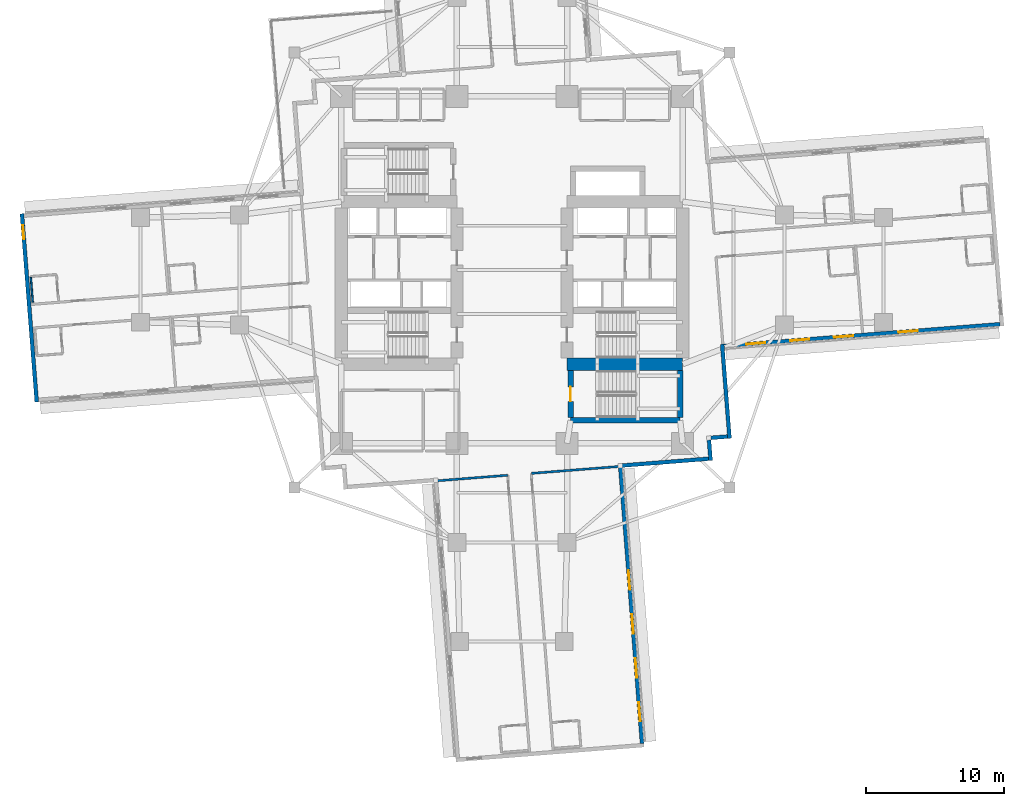
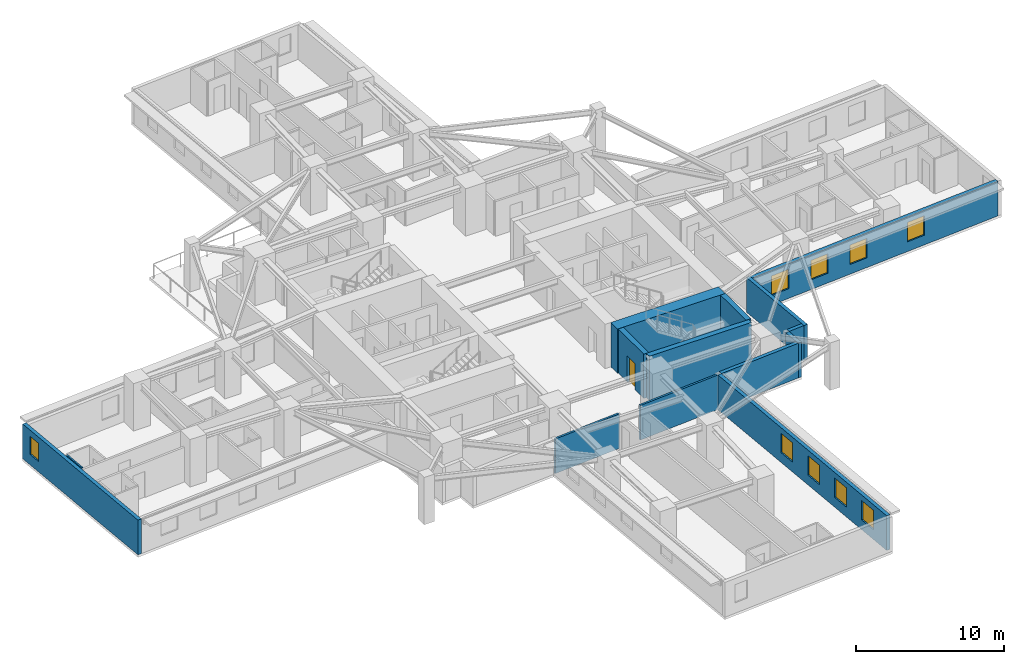
# One storey, part 4 of 13: 14 walls, 9 windows, 1 door, 10 openings.
"""IFC4 building model written with IfcOpenShell, lengths in metres."""

from ifc_helpers import new_model, si_unit, direction, frame, frame_2d, origin, place, context, subcontext, project, spatial, rectangle, extrude, material, layer, layer_set, type_object, element, fill, save


model = new_model("IFC4")

# Units and contexts
model_context = context("Model", 3, precision=1e-05, world=origin(), true_north=direction((0.0, 1.0)))
body_context = subcontext(model_context, "Body", "Model", "MODEL_VIEW")
ifc_project = project(units=[si_unit("LENGTHUNIT", "METRE"), si_unit("AREAUNIT", "SQUARE_METRE"), si_unit("VOLUMEUNIT", "CUBIC_METRE"), si_unit("PLANEANGLEUNIT", "RADIAN"), si_unit("MASSUNIT", "GRAM", prefix="KILO")], contexts=[model_context])

# Site, building, storey
site_placement = place(None, origin())
site = spatial("IfcSite", under=ifc_project, at=site_placement, CompositionType="ELEMENT")
building_placement = place(site_placement, origin())
building = spatial("IfcBuilding", under=site, at=building_placement, Name="Qingluan Cross Belvedere", CompositionType="ELEMENT")
storey_placement = place(building_placement, frame((0.0, 0.0, 43.199951171875)))
storey = spatial("IfcBuildingStorey", under=building, at=storey_placement, Name="L11", CompositionType="ELEMENT", Elevation=43.199951171875)

# Wall
ifc_material_1 = material(Name="Concrete C50", Category="concrete")
ifc_layer_1 = layer(ifc_material_1, 0.449951171875, Name="CoreShearWall_450")
ifc_layer_set_1 = layer_set([ifc_layer_1], Name="Concrete C50")
wall_type_1 = type_object("IfcWallType", Name="CoreShearWall_450", PredefinedType="SHEAR", material=ifc_layer_set_1)
wall_1_placement = place(storey_placement, frame((4.260009765625, -10.93994140625, 0.0), z_axis=(0.0, 0.0, 1.0), x_axis=(1.0, 0.0, 0.0)))
element("IfcWall", 1, at=wall_1_placement, inside=storey, type_object=wall_type_1, Name="Stair ST4 structural wall S L11", PredefinedType="SHEAR", context=body_context, shape_type="SweptSolid", body=[
    extrude(rectangle(XDim=7.9599609375, YDim=0.39990234375, at=frame_2d((3.97998046875, 0.0))), origin(), (0.0, 0.0, 1.0), 3.650146484375),
])

# Wall, opening, door
wall_2_placement = place(storey_placement, frame((4.260009765625, -10.735107421875, 0.0), z_axis=(0.0, 0.0, 1.0), x_axis=(0.0, 1.0, 0.0)))
wall_2 = element("IfcWall", 2, at=wall_2_placement, inside=storey, type_object=wall_type_1, Name="Stair ST4 structural wall W L11", PredefinedType="SHEAR", context=body_context, shape_type="SweptSolid", body=[
    extrude(rectangle(XDim=3.43017578125, YDim=0.39990234375, at=frame_2d((1.715087890625, 0.0))), origin(), (0.0, 0.0, 1.0), 3.650146484375),
])
opening_1_placement = place(wall_2_placement, frame((1.18505859375, 0.0, 0.0)))
opening_1 = element("IfcOpeningElement", 3, at=opening_1_placement, cuts=wall_2, Name="Opening FD-B11", PredefinedType="OPENING", context=body_context, shape_type="SweptSolid", body=[
    extrude(rectangle(XDim=1.050048828125, YDim=2.14990234375, at=frame_2d((0.52490234375, 1.074951171875))), frame((0.0, 0.2099609375, 0.0), z_axis=(0.0, -1.0, 0.0), x_axis=(1.0, 0.0, 0.0)), (0.0, 0.0, 1.0), 0.419921875),
])
ifc_material_2 = material(Name="Steel Class B smoke-seal fire door", Category="steel")
door_type = type_object("IfcDoorType", Name="StairLobbyFireDoor_FDB", OperationType="NOTDEFINED", PredefinedType="DOOR", material=ifc_material_2)
door_placement = place(opening_1_placement, origin())
door = element("IfcDoor", 4, at=door_placement, inside=storey, type_object=door_type, Name="Smoke-proof stair ST4 fire door L11", OperationType="SINGLE_SWING_LEFT", OverallHeight=2.14990234375, OverallWidth=1.050048828125, PredefinedType="DOOR", context=body_context, shape_type="SweptSolid", body=[
    extrude(rectangle(XDim=1.050048828125, YDim=2.14990234375, at=frame_2d((0.52490234375, 1.074951171875))), frame((0.0, 0.02490234375, 0.0), z_axis=(0.0, -1.0, 0.0), x_axis=(1.0, 0.0, 0.0)), (0.0, 0.0, 1.0), 0.050048828125),
])
fill(opening_1, door)

# Walls
wall_3_placement = place(storey_placement, frame((12.219970703125, -10.735107421875, 0.0), z_axis=(0.0, 0.0, 1.0), x_axis=(0.0, 1.0, 0.0)))
element("IfcWall", 5, at=wall_3_placement, inside=storey, type_object=wall_type_1, Name="Stair ST4 structural wall E L11", PredefinedType="SHEAR", context=body_context, shape_type="SweptSolid", body=[
    extrude(rectangle(XDim=3.43017578125, YDim=0.39990234375, at=frame_2d((1.715087890625, 0.0))), origin(), (0.0, 0.0, 1.0), 3.650146484375),
])
ifc_material_3 = material(Name="Concrete C70", Category="concrete")
ifc_layer_2 = layer(ifc_material_3, 0.89990234375, Name="CoreShearWall_900")
ifc_layer_set_2 = layer_set([ifc_layer_2], Name="Concrete C70")
wall_type_2 = type_object("IfcWallType", Name="CoreShearWall_900", PredefinedType="SHEAR", material=ifc_layer_set_2)
wall_4_placement = place(storey_placement, frame((4.0, -6.85009765625, 0.0), z_axis=(0.0, 0.0, 1.0), x_axis=(1.0, 0.0, 0.0)))
element("IfcWall", 6, at=wall_4_placement, inside=storey, type_object=wall_type_2, Name="Split core E shear wall L11-S", PredefinedType="SHEAR", context=body_context, shape_type="SweptSolid", body=[
    extrude(rectangle(XDim=8.39990234375, YDim=0.89990234375, at=frame_2d((4.199951171875, 0.0))), origin(), (0.0, 0.0, 1.0), 3.650146484375),
])
ifc_material_4 = material(Name="Gypsum plasterboard on steel stud acoustic partition", Category="steel")
ifc_layer_3 = layer(ifc_material_4, 0.159912109375, Name="CorridorPartition_160")
ifc_layer_set_3 = layer_set([ifc_layer_3], Name="Gypsum plasterboard on steel stud acoustic partition")
wall_type_3 = type_object("IfcWallType", Name="CorridorPartition_160", PredefinedType="PARTITIONING", material=ifc_layer_set_3)
wall_5_placement = place(storey_placement, frame((1.404296875, -14.785400390625, 0.0), z_axis=(0.0, 0.0, 1.0), x_axis=(0.996918883175, 0.07843940572, 0.0)))
element("IfcWall", 7, at=wall_5_placement, inside=storey, type_object=wall_type_3, Name="Partition L11:S:s0", PredefinedType="PARTITIONING", context=body_context, shape_type="SweptSolid", body=[
    extrude(rectangle(XDim=6.480224609375, YDim=0.159912109375, at=frame_2d((3.240234375, 0.0))), origin(), (0.0, 0.0, 1.0), 2.85009765625),
])
wall_6_placement = place(storey_placement, frame((-0.310302734375, -14.92041015625, 0.0), z_axis=(0.0, 0.0, 1.0), x_axis=(-0.996917262382, -0.07846000233, 0.0)))
element("IfcWall", 8, at=wall_6_placement, inside=storey, type_object=wall_type_3, Name="Partition L11:S:s1", PredefinedType="PARTITIONING", context=body_context, shape_type="SweptSolid", body=[
    extrude(rectangle(XDim=5.239990234375, YDim=0.159912109375, at=frame_2d((2.6201171875, 0.0))), origin(), (0.0, 0.0, 1.0), 2.85009765625),
])
ifc_material_5 = material(Name="Moisture-resistant gypsum board lining")
ifc_layer_4 = layer(ifc_material_5, 0.1201171875, Name="EnsuiteWetPartition_120")
ifc_layer_set_4 = layer_set([ifc_layer_4], Name="Moisture-resistant gypsum board lining")
wall_type_4 = type_object("IfcWallType", Name="EnsuiteWetPartition_120", PredefinedType="PARTITIONING", material=ifc_layer_set_4)
wall_7_placement = place(storey_placement, frame((-34.822265625, -2.359375, 0.0), z_axis=(0.0, 0.0, 1.0), x_axis=(-0.0784709492, 0.996916400774, 0.0)))
element("IfcWall", 9, at=wall_7_placement, inside=storey, type_object=wall_type_4, Name="Partition L11:W:bw0_1", PredefinedType="PARTITIONING", context=body_context, shape_type="SweptSolid", body=[
    extrude(rectangle(XDim=1.820068359375, YDim=0.1201171875, at=frame_2d((0.91015625, 0.0))), origin(), (0.0, 0.0, 1.0), 2.85009765625),
])

# Wall, openings, windows
ifc_material_6 = material(Name="Precast concrete C45", Category="concrete")
ifc_layer_5 = layer(ifc_material_6, 0.280029296875, Name="PrecastFacadeWall_280")
ifc_layer_set_5 = layer_set([ifc_layer_5], Name="Precast concrete C45")
wall_type_5 = type_object("IfcWallType", Name="PrecastFacadeWall_280", PredefinedType="STANDARD", material=ifc_layer_set_5)
wall_8_placement = place(storey_placement, frame((15.421142578125, -5.527099609375, 0.0), z_axis=(0.0, 0.0, 1.0), x_axis=(0.996917828963, 0.078452802979, 0.0)))
wall_8 = element("IfcWall", 10, at=wall_8_placement, inside=storey, type_object=wall_type_5, Name="Facade wall L11-EA", PredefinedType="STANDARD", context=body_context, shape_type="SweptSolid", body=[
    extrude(rectangle(XDim=20.10009765625, YDim=0.280029296875, at=frame_2d((10.050048828125, 0.0))), origin(), (0.0, 0.0, 1.0), 2.860107421875),
])
opening_2_placement = place(wall_8_placement, frame((1.60009765625, 0.0, 0.800048828125)))
opening_2 = element("IfcOpeningElement", 11, at=opening_2_placement, cuts=wall_8, Name="Opening W-01", PredefinedType="OPENING", context=body_context, shape_type="SweptSolid", body=[
    extrude(rectangle(XDim=1.39990234375, YDim=1.60009765625, at=frame_2d((0.699951171875, 0.800048828125))), frame((0.0, 0.14990234375, 0.0), z_axis=(0.0, -1.0, 0.0), x_axis=(1.0, 0.0, 0.0)), (0.0, 0.0, 1.0), 0.300048828125),
])
opening_3_placement = place(wall_8_placement, frame((4.800048828125, 0.0, 0.800048828125)))
opening_3 = element("IfcOpeningElement", 12, at=opening_3_placement, cuts=wall_8, Name="Opening W-01", PredefinedType="OPENING", context=body_context, shape_type="SweptSolid", body=[
    extrude(rectangle(XDim=1.39990234375, YDim=1.60009765625, at=frame_2d((0.699951171875, 0.800048828125))), frame((0.0, 0.14990234375, 0.0), z_axis=(0.0, -1.0, 0.0), x_axis=(1.0, 0.0, 0.0)), (0.0, 0.0, 1.0), 0.300048828125),
])
opening_4_placement = place(wall_8_placement, frame((8.0, 0.0, 0.800048828125)))
opening_4 = element("IfcOpeningElement", 13, at=opening_4_placement, cuts=wall_8, Name="Opening W-01", PredefinedType="OPENING", context=body_context, shape_type="SweptSolid", body=[
    extrude(rectangle(XDim=1.39990234375, YDim=1.60009765625, at=frame_2d((0.699951171875, 0.800048828125))), frame((0.0, 0.14990234375, 0.0), z_axis=(0.0, -1.0, 0.0), x_axis=(1.0, 0.0, 0.0)), (0.0, 0.0, 1.0), 0.300048828125),
])
opening_5_placement = place(wall_8_placement, frame((12.699951171875, 0.0, 0.800048828125)))
opening_5 = element("IfcOpeningElement", 14, at=opening_5_placement, cuts=wall_8, Name="Opening W-01", PredefinedType="OPENING", context=body_context, shape_type="SweptSolid", body=[
    extrude(rectangle(XDim=1.39990234375, YDim=1.60009765625, at=frame_2d((0.699951171875, 0.800048828125))), frame((0.0, 0.14990234375, 0.0), z_axis=(0.0, -1.0, 0.0), x_axis=(1.0, 0.0, 0.0)), (0.0, 0.0, 1.0), 0.300048828125),
])
ifc_material_7 = material(Name="Thermally broken triple Low-E glass in aluminium frame", Category="aluminium")
window_type_1 = type_object("IfcWindowType", Name="TriRibbonWin_1400x1600", PartitioningType="SINGLE_PANEL", PredefinedType="WINDOW", material=ifc_material_7)
window_1_placement = place(opening_2_placement, origin())
window_1 = element("IfcWindow", 15, at=window_1_placement, inside=storey, type_object=window_type_1, Name="Ribbon window L11-EA-1", OverallHeight=1.60009765625, OverallWidth=1.39990234375, PartitioningType="SINGLE_PANEL", PredefinedType="WINDOW", context=body_context, shape_type="SweptSolid", body=[
    extrude(rectangle(XDim=1.39990234375, YDim=1.60009765625, at=frame_2d((0.699951171875, 0.800048828125))), frame((0.0, 0.030029296875, 0.0), z_axis=(0.0, -1.0, 0.0), x_axis=(1.0, 0.0, 0.0)), (0.0, 0.0, 1.0), 0.06005859375),
])
fill(opening_2, window_1)
window_2_placement = place(opening_3_placement, origin())
window_2 = element("IfcWindow", 16, at=window_2_placement, inside=storey, type_object=window_type_1, Name="Ribbon window L11-EA-2", OverallHeight=1.60009765625, OverallWidth=1.39990234375, PartitioningType="SINGLE_PANEL", PredefinedType="WINDOW", context=body_context, shape_type="SweptSolid", body=[
    extrude(rectangle(XDim=1.39990234375, YDim=1.60009765625, at=frame_2d((0.699951171875, 0.800048828125))), frame((0.0, 0.030029296875, 0.0), z_axis=(0.0, -1.0, 0.0), x_axis=(1.0, 0.0, 0.0)), (0.0, 0.0, 1.0), 0.06005859375),
])
fill(opening_3, window_2)
window_3_placement = place(opening_4_placement, origin())
window_3 = element("IfcWindow", 17, at=window_3_placement, inside=storey, type_object=window_type_1, Name="Ribbon window L11-EA-3", OverallHeight=1.60009765625, OverallWidth=1.39990234375, PartitioningType="SINGLE_PANEL", PredefinedType="WINDOW", context=body_context, shape_type="SweptSolid", body=[
    extrude(rectangle(XDim=1.39990234375, YDim=1.60009765625, at=frame_2d((0.699951171875, 0.800048828125))), frame((0.0, 0.030029296875, 0.0), z_axis=(0.0, -1.0, 0.0), x_axis=(1.0, 0.0, 0.0)), (0.0, 0.0, 1.0), 0.06005859375),
])
fill(opening_4, window_3)
window_4_placement = place(opening_5_placement, origin())
window_4 = element("IfcWindow", 18, at=window_4_placement, inside=storey, type_object=window_type_1, Name="Ribbon window L11-EA-4", OverallHeight=1.60009765625, OverallWidth=1.39990234375, PartitioningType="SINGLE_PANEL", PredefinedType="WINDOW", context=body_context, shape_type="SweptSolid", body=[
    extrude(rectangle(XDim=1.39990234375, YDim=1.60009765625, at=frame_2d((0.699951171875, 0.800048828125))), frame((0.0, 0.030029296875, 0.0), z_axis=(0.0, -1.0, 0.0), x_axis=(1.0, 0.0, 0.0)), (0.0, 0.0, 1.0), 0.06005859375),
])
fill(opening_5, window_4)

# Wall, opening, window
wall_9_placement = place(storey_placement, frame((-35.60986328125, 4.07861328125, 0.0), z_axis=(0.0, 0.0, 1.0), x_axis=(0.078473519122, -0.996916198482, 0.0)))
wall_9 = element("IfcWall", 19, at=wall_9_placement, inside=storey, type_object=wall_type_5, Name="Arm tip precast facade wall L11-W", PredefinedType="STANDARD", context=body_context, shape_type="SweptSolid", body=[
    extrude(rectangle(XDim=13.719970703125, YDim=0.280029296875, at=frame_2d((6.85986328125, 0.0))), origin(), (0.0, 0.0, 1.0), 2.860107421875),
])
opening_6_placement = place(wall_9_placement, frame((0.85009765625, 0.0, 0.85009765625)))
opening_6 = element("IfcOpeningElement", 20, at=opening_6_placement, cuts=wall_9, Name="Opening W-03", PredefinedType="OPENING", context=body_context, shape_type="SweptSolid", body=[
    extrude(rectangle(XDim=1.0, YDim=1.5, at=frame_2d((0.5, 0.75))), frame((0.0, 0.14990234375, 0.0), z_axis=(0.0, -1.0, 0.0), x_axis=(1.0, 0.0, 0.0)), (0.0, 0.0, 1.0), 0.300048828125),
])
ifc_material_8 = material(Name="Thermally broken triple Low-E glass in aluminium frame", Category="aluminium")
window_type_2 = type_object("IfcWindowType", Name="TriApexWin_1000x1500", PartitioningType="SINGLE_PANEL", PredefinedType="WINDOW", material=ifc_material_8)
window_5_placement = place(opening_6_placement, origin())
window_5 = element("IfcWindow", 21, at=window_5_placement, inside=storey, type_object=window_type_2, Name="Arm tip triangular window L11-W", OverallHeight=1.5, OverallWidth=1.0, PartitioningType="SINGLE_PANEL", PredefinedType="WINDOW", context=body_context, shape_type="SweptSolid", body=[
    extrude(rectangle(XDim=1.0, YDim=1.5, at=frame_2d((0.5, 0.75))), frame((0.0, 0.030029296875, 0.0), z_axis=(0.0, -1.0, 0.0), x_axis=(1.0, 0.0, 0.0)), (0.0, 0.0, 1.0), 0.06005859375),
])
fill(opening_6, window_5)

# Wall, openings, windows
wall_10_placement = place(storey_placement, frame((9.448486328125, -34.40478515625, 0.0), z_axis=(0.0, 0.0, 1.0), x_axis=(-0.078452802979, 0.996917828963, 0.0)))
wall_10 = element("IfcWall", 22, at=wall_10_placement, inside=storey, type_object=wall_type_5, Name="Facade wall L11-SB", PredefinedType="STANDARD", context=body_context, shape_type="SweptSolid", body=[
    extrude(rectangle(XDim=20.10009765625, YDim=0.280029296875, at=frame_2d((10.050048828125, 0.0))), origin(), (0.0, 0.0, 1.0), 2.860107421875),
])
opening_7_placement = place(wall_10_placement, frame((1.60009765625, 0.0, 0.800048828125)))
opening_7 = element("IfcOpeningElement", 23, at=opening_7_placement, cuts=wall_10, Name="Opening W-01", PredefinedType="OPENING", context=body_context, shape_type="SweptSolid", body=[
    extrude(rectangle(XDim=1.39990234375, YDim=1.60009765625, at=frame_2d((0.699951171875, 0.800048828125))), frame((0.0, 0.14990234375, 0.0), z_axis=(0.0, -1.0, 0.0), x_axis=(1.0, 0.0, 0.0)), (0.0, 0.0, 1.0), 0.300048828125),
])
opening_8_placement = place(wall_10_placement, frame((4.800048828125, 0.0, 0.800048828125)))
opening_8 = element("IfcOpeningElement", 24, at=opening_8_placement, cuts=wall_10, Name="Opening W-01", PredefinedType="OPENING", context=body_context, shape_type="SweptSolid", body=[
    extrude(rectangle(XDim=1.39990234375, YDim=1.60009765625, at=frame_2d((0.699951171875, 0.800048828125))), frame((0.0, 0.14990234375, 0.0), z_axis=(0.0, -1.0, 0.0), x_axis=(1.0, 0.0, 0.0)), (0.0, 0.0, 1.0), 0.300048828125),
])
opening_9_placement = place(wall_10_placement, frame((8.0, 0.0, 0.800048828125)))
opening_9 = element("IfcOpeningElement", 25, at=opening_9_placement, cuts=wall_10, Name="Opening W-01", PredefinedType="OPENING", context=body_context, shape_type="SweptSolid", body=[
    extrude(rectangle(XDim=1.39990234375, YDim=1.60009765625, at=frame_2d((0.699951171875, 0.800048828125))), frame((0.0, 0.14990234375, 0.0), z_axis=(0.0, -1.0, 0.0), x_axis=(1.0, 0.0, 0.0)), (0.0, 0.0, 1.0), 0.300048828125),
])
opening_10_placement = place(wall_10_placement, frame((11.199951171875, 0.0, 0.800048828125)))
opening_10 = element("IfcOpeningElement", 26, at=opening_10_placement, cuts=wall_10, Name="Opening W-01", PredefinedType="OPENING", context=body_context, shape_type="SweptSolid", body=[
    extrude(rectangle(XDim=1.39990234375, YDim=1.60009765625, at=frame_2d((0.699951171875, 0.800048828125))), frame((0.0, 0.14990234375, 0.0), z_axis=(0.0, -1.0, 0.0), x_axis=(1.0, 0.0, 0.0)), (0.0, 0.0, 1.0), 0.300048828125),
])
window_6_placement = place(opening_7_placement, origin())
window_6 = element("IfcWindow", 27, at=window_6_placement, inside=storey, type_object=window_type_1, Name="Ribbon window L11-SB-1", OverallHeight=1.60009765625, OverallWidth=1.39990234375, PartitioningType="SINGLE_PANEL", PredefinedType="WINDOW", context=body_context, shape_type="SweptSolid", body=[
    extrude(rectangle(XDim=1.39990234375, YDim=1.60009765625, at=frame_2d((0.699951171875, 0.800048828125))), frame((0.0, 0.030029296875, 0.0), z_axis=(0.0, -1.0, 0.0), x_axis=(1.0, 0.0, 0.0)), (0.0, 0.0, 1.0), 0.06005859375),
])
fill(opening_7, window_6)
window_7_placement = place(opening_8_placement, origin())
window_7 = element("IfcWindow", 28, at=window_7_placement, inside=storey, type_object=window_type_1, Name="Ribbon window L11-SB-2", OverallHeight=1.60009765625, OverallWidth=1.39990234375, PartitioningType="SINGLE_PANEL", PredefinedType="WINDOW", context=body_context, shape_type="SweptSolid", body=[
    extrude(rectangle(XDim=1.39990234375, YDim=1.60009765625, at=frame_2d((0.699951171875, 0.800048828125))), frame((0.0, 0.030029296875, 0.0), z_axis=(0.0, -1.0, 0.0), x_axis=(1.0, 0.0, 0.0)), (0.0, 0.0, 1.0), 0.06005859375),
])
fill(opening_8, window_7)
window_8_placement = place(opening_9_placement, origin())
window_8 = element("IfcWindow", 29, at=window_8_placement, inside=storey, type_object=window_type_1, Name="Ribbon window L11-SB-3", OverallHeight=1.60009765625, OverallWidth=1.39990234375, PartitioningType="SINGLE_PANEL", PredefinedType="WINDOW", context=body_context, shape_type="SweptSolid", body=[
    extrude(rectangle(XDim=1.39990234375, YDim=1.60009765625, at=frame_2d((0.699951171875, 0.800048828125))), frame((0.0, 0.030029296875, 0.0), z_axis=(0.0, -1.0, 0.0), x_axis=(1.0, 0.0, 0.0)), (0.0, 0.0, 1.0), 0.06005859375),
])
fill(opening_9, window_8)
window_9_placement = place(opening_10_placement, origin())
window_9 = element("IfcWindow", 30, at=window_9_placement, inside=storey, type_object=window_type_1, Name="Ribbon window L11-SB-4", OverallHeight=1.60009765625, OverallWidth=1.39990234375, PartitioningType="SINGLE_PANEL", PredefinedType="WINDOW", context=body_context, shape_type="SweptSolid", body=[
    extrude(rectangle(XDim=1.39990234375, YDim=1.60009765625, at=frame_2d((0.699951171875, 0.800048828125))), frame((0.0, 0.030029296875, 0.0), z_axis=(0.0, -1.0, 0.0), x_axis=(1.0, 0.0, 0.0)), (0.0, 0.0, 1.0), 0.06005859375),
])
fill(opening_10, window_9)

# Walls
wall_11_placement = place(storey_placement, frame((15.2705078125, -5.3984375, 0.0), z_axis=(0.0, 0.0, 1.0), x_axis=(0.078473519122, -0.996916198482, 0.0)))
element("IfcWall", 31, at=wall_11_placement, inside=storey, type_object=wall_type_5, Name="Corner wall L11-SE1", PredefinedType="STANDARD", context=body_context, shape_type="SweptSolid", body=[
    extrude(rectangle(XDim=6.860107421875, YDim=0.280029296875, at=frame_2d((3.43017578125, 0.0))), origin(), (0.0, 0.0, 1.0), 2.860107421875),
])
wall_12_placement = place(storey_placement, frame((15.658203125, -12.10888671875, 0.0), z_axis=(0.0, 0.0, 1.0), x_axis=(-0.996917540398, -0.078456469752, 0.0)))
element("IfcWall", 32, at=wall_12_placement, inside=storey, type_object=wall_type_5, Name="Corner wall L11-SE2", PredefinedType="STANDARD", context=body_context, shape_type="SweptSolid", body=[
    extrude(rectangle(XDim=1.2197265625, YDim=0.280029296875, at=frame_2d((0.60986328125, 0.0))), origin(), (0.0, 0.0, 1.0), 2.860107421875),
])
wall_13_placement = place(storey_placement, frame((14.3134765625, -12.35498046875, 0.0), z_axis=(0.0, 0.0, 1.0), x_axis=(0.078451338629, -0.9969179442, 0.0)))
element("IfcWall", 33, at=wall_13_placement, inside=storey, type_object=wall_type_5, Name="Corner wall L11-SE3", PredefinedType="STANDARD", context=body_context, shape_type="SweptSolid", body=[
    extrude(rectangle(XDim=1.5, YDim=0.280029296875, at=frame_2d((0.75, 0.0))), origin(), (0.0, 0.0, 1.0), 2.860107421875),
])
wall_14_placement = place(storey_placement, frame((14.280517578125, -13.721923828125, 0.0), z_axis=(0.0, 0.0, 1.0), x_axis=(-0.99691915642, -0.078435932851, 0.0)))
element("IfcWall", 34, at=wall_14_placement, inside=storey, type_object=wall_type_5, Name="Corner wall L11-SE4", PredefinedType="STANDARD", context=body_context, shape_type="SweptSolid", body=[
    extrude(rectangle(XDim=6.2998046875, YDim=0.280029296875, at=frame_2d((3.14990234375, 0.0))), origin(), (0.0, 0.0, 1.0), 2.860107421875),
])

save(model, "model.ifc")
